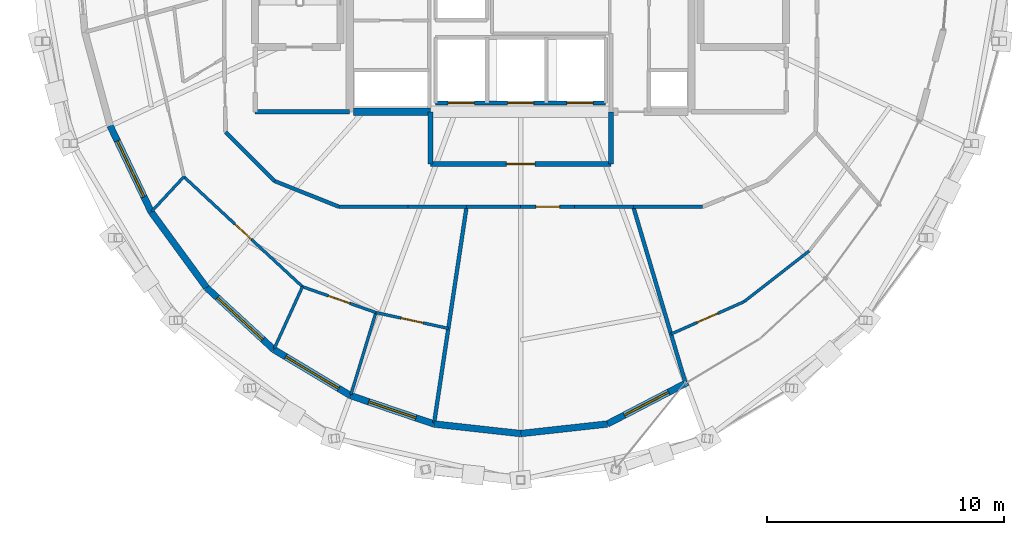
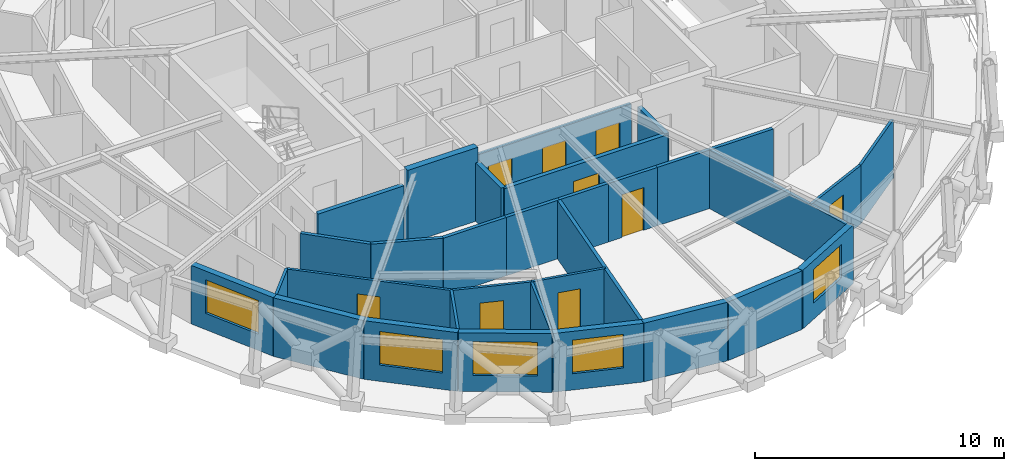
# One storey, part 10 of 16: 32 walls, 9 doors, 5 windows, 14 openings.
"""IFC4 building model written with IfcOpenShell, lengths in metres."""

from ifc_helpers import new_model, si_unit, direction, frame, frame_2d, origin, place, context, subcontext, project, spatial, rectangle, extrude, material, layer, layer_set, type_object, element, fill, save


model = new_model("IFC4")

# Units and contexts
model_context = context("Model", 3, precision=1e-05, world=origin(), true_north=direction((0.0, 1.0)))
body_context = subcontext(model_context, "Body", "Model", "MODEL_VIEW")
ifc_project = project(units=[si_unit("LENGTHUNIT", "METRE"), si_unit("AREAUNIT", "SQUARE_METRE"), si_unit("VOLUMEUNIT", "CUBIC_METRE"), si_unit("PLANEANGLEUNIT", "RADIAN"), si_unit("MASSUNIT", "GRAM", prefix="KILO")], contexts=[model_context])

# Site, building, storey
site_placement = place(None, origin())
site = spatial("IfcSite", under=ifc_project, at=site_placement, CompositionType="ELEMENT")
building_placement = place(site_placement, origin())
building = spatial("IfcBuilding", under=site, at=building_placement, Name="Veldorina Hangang Commons", CompositionType="ELEMENT")
storey_placement = place(building_placement, frame((0.0, 0.0, 279.60009765625)))
storey = spatial("IfcBuildingStorey", under=building, at=storey_placement, Name="L73", CompositionType="ELEMENT", Elevation=279.60009765625)

# Wall
ifc_material_1 = material(Name="Concrete C50/60", Category="concrete")
ifc_layer_1 = layer(ifc_material_1, 0.300048828125)
ifc_layer_set_1 = layer_set([ifc_layer_1], Name="Concrete C50/60")
wall_type_1 = type_object("IfcWallType", Name="CW-RC300-C50", PredefinedType="SHEAR", material=ifc_layer_set_1)
wall_1_placement = place(storey_placement, frame((24.949951171875, 16.550048828125, 0.0), z_axis=(0.0, 0.0, 1.0), x_axis=(1.0, 0.0, 0.0)))
element("IfcWall", 1, at=wall_1_placement, inside=storey, type_object=wall_type_1, Name="L73 south-west core shear wall", PredefinedType="SHEAR", context=body_context, shape_type="SweptSolid", body=[
    extrude(rectangle(XDim=3.25, YDim=0.300048828125, at=frame_2d((1.625, 0.0))), origin(), (0.0, 0.0, 1.0), 3.599853515625),
])

# Wall, opening, window
ifc_material_2 = material(Name="Stone Roman Travertine", Category="masonry")
ifc_layer_2 = layer(ifc_material_2, 0.280029296875)
ifc_layer_set_2 = layer_set([ifc_layer_2], Name="Stone Roman Travertine")
wall_type_2 = type_object("IfcWallType", Name="EW-TRAV-280", PredefinedType="STANDARD", material=ifc_layer_set_2)
wall_2_placement = place(storey_placement, frame((14.711669921875, 15.96337890625, 0.0), z_axis=(0.0, 0.0, 1.0), x_axis=(0.430011346388, -0.902823483289, 0.0)))
wall_2 = element("IfcWall", 2, at=wall_2_placement, inside=storey, type_object=wall_type_2, Name="L73 travertine facade wall 18", PredefinedType="STANDARD", context=body_context, shape_type="SweptSolid", body=[
    extrude(rectangle(XDim=4.021484375, YDim=0.280029296875, at=frame_2d((2.0107421875, 0.0))), origin(), (0.0, 0.0, 1.0), 2.8798828125),
])
opening_1_placement = place(wall_2_placement, frame((0.710693359375, 0.0, 0.800048828125)))
opening_1 = element("IfcOpeningElement", 3, at=opening_1_placement, cuts=wall_2, Name="Opening W-02", PredefinedType="OPENING", context=body_context, shape_type="SweptSolid", body=[
    extrude(rectangle(XDim=2.60009765625, YDim=1.64990234375, at=frame_2d((1.300048828125, 0.824951171875))), frame((0.0, 0.14990234375, 0.0), z_axis=(0.0, -1.0, 0.0), x_axis=(1.0, 0.0, 0.0)), (0.0, 0.0, 1.0), 0.300048828125),
])
ifc_material_3 = material(Name="Glass Low-E Triple IGU", Category="glass")
window_type_1 = type_object("IfcWindowType", Name="WIN-TWR-2600", PartitioningType="SINGLE_PANEL", PredefinedType="WINDOW", material=ifc_material_3)
window_1_placement = place(opening_1_placement, origin())
window_1 = element("IfcWindow", 4, at=window_1_placement, inside=storey, type_object=window_type_1, Name="L73 facade window 18", OverallHeight=1.64990234375, OverallWidth=2.60009765625, PartitioningType="SINGLE_PANEL", PredefinedType="WINDOW", context=body_context, shape_type="SweptSolid", body=[
    extrude(rectangle(XDim=2.60009765625, YDim=1.64990234375, at=frame_2d((1.300048828125, 0.824951171875))), frame((0.0, 0.030029296875, 0.0), z_axis=(0.0, -1.0, 0.0), x_axis=(1.0, 0.0, 0.0)), (0.0, 0.0, 1.0), 0.06005859375),
])
fill(opening_1, window_1)

# Wall
wall_3_placement = place(storey_placement, frame((16.44091796875, 12.332763671875, 0.0), z_axis=(0.0, 0.0, 1.0), x_axis=(0.590275846693, -0.807201601095, 0.0)))
element("IfcWall", 5, at=wall_3_placement, inside=storey, type_object=wall_type_2, Name="L73 travertine facade wall 19", PredefinedType="STANDARD", context=body_context, shape_type="SweptSolid", body=[
    extrude(rectangle(XDim=3.9423828125, YDim=0.280029296875, at=frame_2d((1.97119140625, 0.0))), origin(), (0.0, 0.0, 1.0), 2.8798828125),
])

# Wall, opening, window
wall_4_placement = place(storey_placement, frame((18.76806640625, 9.150390625, 0.0), z_axis=(0.0, 0.0, 1.0), x_axis=(0.735545935602, -0.677474853127, 0.0)))
wall_4 = element("IfcWall", 6, at=wall_4_placement, inside=storey, type_object=wall_type_2, Name="L73 travertine facade wall 20", PredefinedType="STANDARD", context=body_context, shape_type="SweptSolid", body=[
    extrude(rectangle(XDim=3.855224609375, YDim=0.280029296875, at=frame_2d((1.927734375, 0.0))), origin(), (0.0, 0.0, 1.0), 2.8798828125),
])
opening_2_placement = place(wall_4_placement, frame((0.627685546875, 0.0, 0.800048828125)))
opening_2 = element("IfcOpeningElement", 7, at=opening_2_placement, cuts=wall_4, Name="Opening W-02", PredefinedType="OPENING", context=body_context, shape_type="SweptSolid", body=[
    extrude(rectangle(XDim=2.60009765625, YDim=1.64990234375, at=frame_2d((1.300048828125, 0.824951171875))), frame((0.0, 0.14990234375, 0.0), z_axis=(0.0, -1.0, 0.0), x_axis=(1.0, 0.0, 0.0)), (0.0, 0.0, 1.0), 0.300048828125),
])
window_2_placement = place(opening_2_placement, origin())
window_2 = element("IfcWindow", 8, at=window_2_placement, inside=storey, type_object=window_type_1, Name="L73 facade window 20", OverallHeight=1.64990234375, OverallWidth=2.60009765625, PartitioningType="SINGLE_PANEL", PredefinedType="WINDOW", context=body_context, shape_type="SweptSolid", body=[
    extrude(rectangle(XDim=2.60009765625, YDim=1.64990234375, at=frame_2d((1.300048828125, 0.824951171875))), frame((0.0, 0.030029296875, 0.0), z_axis=(0.0, -1.0, 0.0), x_axis=(1.0, 0.0, 0.0)), (0.0, 0.0, 1.0), 0.06005859375),
])
fill(opening_2, window_2)

wall_5_placement = place(storey_placement, frame((21.603759765625, 6.53857421875, 0.0), z_axis=(0.0, 0.0, 1.0), x_axis=(0.857555727465, -0.514391071357, 0.0)))
wall_5 = element("IfcWall", 9, at=wall_5_placement, inside=storey, type_object=wall_type_2, Name="L73 travertine facade wall 21", PredefinedType="STANDARD", context=body_context, shape_type="SweptSolid", body=[
    extrude(rectangle(XDim=3.772705078125, YDim=0.280029296875, at=frame_2d((1.88623046875, 0.0))), origin(), (0.0, 0.0, 1.0), 2.8798828125),
])
opening_3_placement = place(wall_5_placement, frame((0.586181640625, 0.0, 0.800048828125)))
opening_3 = element("IfcOpeningElement", 10, at=opening_3_placement, cuts=wall_5, Name="Opening W-02", PredefinedType="OPENING", context=body_context, shape_type="SweptSolid", body=[
    extrude(rectangle(XDim=2.60009765625, YDim=1.64990234375, at=frame_2d((1.300048828125, 0.824951171875))), frame((0.0, 0.14990234375, 0.0), z_axis=(0.0, -1.0, 0.0), x_axis=(1.0, 0.0, 0.0)), (0.0, 0.0, 1.0), 0.300048828125),
])
window_3_placement = place(opening_3_placement, origin())
window_3 = element("IfcWindow", 11, at=window_3_placement, inside=storey, type_object=window_type_1, Name="L73 facade window 21", OverallHeight=1.64990234375, OverallWidth=2.60009765625, PartitioningType="SINGLE_PANEL", PredefinedType="WINDOW", context=body_context, shape_type="SweptSolid", body=[
    extrude(rectangle(XDim=2.60009765625, YDim=1.64990234375, at=frame_2d((1.300048828125, 0.824951171875))), frame((0.0, 0.030029296875, 0.0), z_axis=(0.0, -1.0, 0.0), x_axis=(1.0, 0.0, 0.0)), (0.0, 0.0, 1.0), 0.06005859375),
])
fill(opening_3, window_3)

wall_6_placement = place(storey_placement, frame((24.839111328125, 4.597900390625, 0.0), z_axis=(0.0, 0.0, 1.0), x_axis=(0.946642640744, -0.322285138854, 0.0)))
wall_6 = element("IfcWall", 12, at=wall_6_placement, inside=storey, type_object=wall_type_2, Name="L73 travertine facade wall 22", PredefinedType="STANDARD", context=body_context, shape_type="SweptSolid", body=[
    extrude(rectangle(XDim=3.7080078125, YDim=0.280029296875, at=frame_2d((1.85400390625, 0.0))), origin(), (0.0, 0.0, 1.0), 2.8798828125),
])
opening_4_placement = place(wall_6_placement, frame((0.80419921875, 0.0, 0.800048828125)))
opening_4 = element("IfcOpeningElement", 13, at=opening_4_placement, cuts=wall_6, Name="Opening W-03", PredefinedType="OPENING", context=body_context, shape_type="SweptSolid", body=[
    extrude(rectangle(XDim=2.10009765625, YDim=1.64990234375, at=frame_2d((1.050048828125, 0.824951171875))), frame((0.0, 0.14990234375, 0.0), z_axis=(0.0, -1.0, 0.0), x_axis=(1.0, 0.0, 0.0)), (0.0, 0.0, 1.0), 0.300048828125),
])
window_type_2 = type_object("IfcWindowType", Name="WIN-TWR-2100", PartitioningType="SINGLE_PANEL", PredefinedType="WINDOW", material=ifc_material_3)
window_4_placement = place(opening_4_placement, origin())
window_4 = element("IfcWindow", 14, at=window_4_placement, inside=storey, type_object=window_type_2, Name="L73 facade window 22", OverallHeight=1.64990234375, OverallWidth=2.10009765625, PartitioningType="SINGLE_PANEL", PredefinedType="WINDOW", context=body_context, shape_type="SweptSolid", body=[
    extrude(rectangle(XDim=2.10009765625, YDim=1.64990234375, at=frame_2d((1.050048828125, 0.824951171875))), frame((0.0, 0.030029296875, 0.0), z_axis=(0.0, -1.0, 0.0), x_axis=(1.0, 0.0, 0.0)), (0.0, 0.0, 1.0), 0.06005859375),
])
fill(opening_4, window_4)

# Walls
for number, where, z_axis, x_axis, name in (
    (15, (28.349365234375, 3.40283203125, 0.0), (0.0, 0.0, 1.0), (0.993952444877, -0.10981137156, 0.0), "L73 travertine facade wall 23"),
    (16, (32.0, 2.99951171875, 0.0), (0.0, 0.0, 1.0), (0.993952444877, 0.10981137156, 0.0), "L73 travertine facade wall 24"),
):
    element("IfcWall", number, at=place(storey_placement, frame(where, z_axis=z_axis, x_axis=x_axis)), inside=storey, type_object=wall_type_2, Name=name, PredefinedType="STANDARD", context=body_context, shape_type="SweptSolid", body=[
        extrude(rectangle(XDim=3.6728515625, YDim=0.280029296875, at=frame_2d((1.83642578125, 0.0))), origin(), (0.0, 0.0, 1.0), 2.8798828125),
    ])

# Wall, opening, window
wall_7_placement = place(storey_placement, frame((35.650634765625, 3.40283203125, 0.0), z_axis=(0.0, 0.0, 1.0), x_axis=(0.88737951992, 0.461039681184, 0.0)))
wall_7 = element("IfcWall", 17, at=wall_7_placement, inside=storey, type_object=wall_type_2, Name="L73 travertine facade wall 25", PredefinedType="STANDARD", context=body_context, shape_type="SweptSolid", body=[
    extrude(rectangle(XDim=3.806396484375, YDim=0.280029296875, at=frame_2d((1.9033203125, 0.0))), origin(), (0.0, 0.0, 1.0), 2.8798828125),
])
opening_5_placement = place(wall_7_placement, frame((0.80712890625, 0.0, 0.800048828125)))
opening_5 = element("IfcOpeningElement", 18, at=opening_5_placement, cuts=wall_7, Name="Opening W-03", PredefinedType="OPENING", context=body_context, shape_type="SweptSolid", body=[
    extrude(rectangle(XDim=2.10009765625, YDim=1.64990234375, at=frame_2d((1.050048828125, 0.824951171875))), frame((0.0, 0.14990234375, 0.0), z_axis=(0.0, -1.0, 0.0), x_axis=(1.0, 0.0, 0.0)), (0.0, 0.0, 1.0), 0.300048828125),
])
window_5_placement = place(opening_5_placement, origin())
window_5 = element("IfcWindow", 19, at=window_5_placement, inside=storey, type_object=window_type_2, Name="L73 facade window 25", OverallHeight=1.64990234375, OverallWidth=2.10009765625, PartitioningType="SINGLE_PANEL", PredefinedType="WINDOW", context=body_context, shape_type="SweptSolid", body=[
    extrude(rectangle(XDim=2.10009765625, YDim=1.64990234375, at=frame_2d((1.050048828125, 0.824951171875))), frame((0.0, 0.030029296875, 0.0), z_axis=(0.0, -1.0, 0.0), x_axis=(1.0, 0.0, 0.0)), (0.0, 0.0, 1.0), 0.06005859375),
])
fill(opening_5, window_5)

# Wall, openings, doors
ifc_material_4 = material(Name="Gypsum Fire-Rated Twin Stud Wall", Category="gypsum")
ifc_layer_3 = layer(ifc_material_4, 0.159912109375)
ifc_layer_set_3 = layer_set([ifc_layer_3], Name="Gypsum Fire-Rated Twin Stud Wall")
wall_type_3 = type_object("IfcWallType", Name="WL-FIRE-160", PredefinedType="SOLIDWALL", material=ifc_layer_set_3)
wall_8_placement = place(storey_placement, frame((28.419921875, 16.919921875, 0.0), z_axis=(0.0, 0.0, 1.0), x_axis=(1.0, 0.0, 0.0)))
wall_8 = element("IfcWall", 20, at=wall_8_placement, inside=storey, type_object=wall_type_3, Name="L73 Emergency front shaft wall 023", PredefinedType="SOLIDWALL", context=body_context, shape_type="SweptSolid", body=[
    extrude(rectangle(XDim=7.16015625, YDim=0.159912109375, at=frame_2d((3.580078125, 0.0))), origin(), (0.0, 0.0, 1.0), 2.869873046875),
])
opening_6_placement = place(wall_8_placement, frame((0.530029296875, 0.0, 0.0)))
opening_6 = element("IfcOpeningElement", 21, at=opening_6_placement, cuts=wall_8, Name="Opening LD-03", PredefinedType="OPENING", context=body_context, shape_type="SweptSolid", body=[
    extrude(rectangle(XDim=1.10009765625, YDim=2.14990234375, at=frame_2d((0.550048828125, 1.074951171875))), frame((0.0, 0.08984375, 0.0), z_axis=(0.0, -1.0, 0.0), x_axis=(1.0, 0.0, 0.0)), (0.0, 0.0, 1.0), 0.179931640625),
])
opening_7_placement = place(wall_8_placement, frame((3.030029296875, 0.0, 0.0)))
opening_7 = element("IfcOpeningElement", 22, at=opening_7_placement, cuts=wall_8, Name="Opening LD-03", PredefinedType="OPENING", context=body_context, shape_type="SweptSolid", body=[
    extrude(rectangle(XDim=1.10009765625, YDim=2.14990234375, at=frame_2d((0.550048828125, 1.074951171875))), frame((0.0, 0.08984375, 0.0), z_axis=(0.0, -1.0, 0.0), x_axis=(1.0, 0.0, 0.0)), (0.0, 0.0, 1.0), 0.179931640625),
])
opening_8_placement = place(wall_8_placement, frame((5.530029296875, 0.0, 0.0)))
opening_8 = element("IfcOpeningElement", 23, at=opening_8_placement, cuts=wall_8, Name="Opening LD-03", PredefinedType="OPENING", context=body_context, shape_type="SweptSolid", body=[
    extrude(rectangle(XDim=1.10009765625, YDim=2.14990234375, at=frame_2d((0.550048828125, 1.074951171875))), frame((0.0, 0.08984375, 0.0), z_axis=(0.0, -1.0, 0.0), x_axis=(1.0, 0.0, 0.0)), (0.0, 0.0, 1.0), 0.179931640625),
])
ifc_material_5 = material(Name="Stainless Steel Firefighting Lift Door", Category="steel")
door_type_1 = type_object("IfcDoorType", Name="DR-LIFT-FF1100", OperationType="SLIDING_TO_RIGHT", PredefinedType="DOOR", material=ifc_material_5)
door_1_placement = place(opening_6_placement, origin())
door_1 = element("IfcDoor", 24, at=door_1_placement, inside=storey, type_object=door_type_1, Name="L73 Emergency lift FFL-1 landing door 008", OperationType="SLIDING_TO_RIGHT", OverallHeight=2.14990234375, OverallWidth=1.10009765625, PredefinedType="DOOR", context=body_context, shape_type="SweptSolid", body=[
    extrude(rectangle(XDim=1.10009765625, YDim=2.14990234375, at=frame_2d((0.550048828125, 1.074951171875))), frame((0.0, 0.02490234375, 0.0), z_axis=(0.0, -1.0, 0.0), x_axis=(1.0, 0.0, 0.0)), (0.0, 0.0, 1.0), 0.050048828125),
])
fill(opening_6, door_1)
door_2_placement = place(opening_7_placement, origin())
door_2 = element("IfcDoor", 25, at=door_2_placement, inside=storey, type_object=door_type_1, Name="L73 Emergency lift FFL-2 landing door 009", OperationType="SLIDING_TO_RIGHT", OverallHeight=2.14990234375, OverallWidth=1.10009765625, PredefinedType="DOOR", context=body_context, shape_type="SweptSolid", body=[
    extrude(rectangle(XDim=1.10009765625, YDim=2.14990234375, at=frame_2d((0.550048828125, 1.074951171875))), frame((0.0, 0.02490234375, 0.0), z_axis=(0.0, -1.0, 0.0), x_axis=(1.0, 0.0, 0.0)), (0.0, 0.0, 1.0), 0.050048828125),
])
fill(opening_7, door_2)
door_3_placement = place(opening_8_placement, origin())
door_3 = element("IfcDoor", 26, at=door_3_placement, inside=storey, type_object=door_type_1, Name="L73 Emergency lift EVL-1 landing door 010", OperationType="SLIDING_TO_RIGHT", OverallHeight=2.14990234375, OverallWidth=1.10009765625, PredefinedType="DOOR", context=body_context, shape_type="SweptSolid", body=[
    extrude(rectangle(XDim=1.10009765625, YDim=2.14990234375, at=frame_2d((0.550048828125, 1.074951171875))), frame((0.0, 0.02490234375, 0.0), z_axis=(0.0, -1.0, 0.0), x_axis=(1.0, 0.0, 0.0)), (0.0, 0.0, 1.0), 0.050048828125),
])
fill(opening_8, door_3)

# Walls
wall_9_placement = place(storey_placement, frame((19.5732421875, 15.69677734375, 0.0), z_axis=(0.0, 0.0, 1.0), x_axis=(0.707106781187, -0.707106781187, 0.0)))
element("IfcWall", 27, at=wall_9_placement, inside=storey, type_object=wall_type_3, Name="L73 Compact collar outer wall 19 073", PredefinedType="SOLIDWALL", context=body_context, shape_type="SweptSolid", body=[
    extrude(rectangle(XDim=2.915771484375, YDim=0.159912109375, at=frame_2d((1.4580078125, 0.0))), origin(), (0.0, 0.0, 1.0), 2.869873046875),
])
wall_10_placement = place(storey_placement, frame((21.635009765625, 13.635009765625, 0.0), z_axis=(0.0, 0.0, 1.0), x_axis=(0.92856882165, -0.371160266542, 0.0)))
element("IfcWall", 28, at=wall_10_placement, inside=storey, type_object=wall_type_3, Name="L73 Compact collar outer wall 20 074", PredefinedType="SOLIDWALL", context=body_context, shape_type="SweptSolid", body=[
    extrude(rectangle(XDim=2.923095703125, YDim=0.159912109375, at=frame_2d((1.46142578125, 0.0))), origin(), (0.0, 0.0, 1.0), 2.869873046875),
])
wall_11_placement = place(storey_placement, frame((24.349365234375, 12.550048828125, 0.0), z_axis=(0.0, 0.0, 1.0), x_axis=(1.0, 0.0, 0.0)))
element("IfcWall", 29, at=wall_11_placement, inside=storey, type_object=wall_type_3, Name="L73 Compact collar outer wall 21 075", PredefinedType="SOLIDWALL", context=body_context, shape_type="SweptSolid", body=[
    extrude(rectangle(XDim=2.907958984375, YDim=0.159912109375, at=frame_2d((1.4541015625, 0.0))), origin(), (0.0, 0.0, 1.0), 2.869873046875),
])
wall_12_placement = place(storey_placement, frame((27.25732421875, 12.550048828125, 0.0), z_axis=(0.0, 0.0, 1.0), x_axis=(1.0, 0.0, 0.0)))
element("IfcWall", 30, at=wall_12_placement, inside=storey, type_object=wall_type_3, Name="L73 Compact collar outer wall 22 076", PredefinedType="SOLIDWALL", context=body_context, shape_type="SweptSolid", body=[
    extrude(rectangle(XDim=2.465087890625, YDim=0.159912109375, at=frame_2d((1.232421875, 0.0))), origin(), (0.0, 0.0, 1.0), 2.869873046875),
])
wall_13_placement = place(storey_placement, frame((29.722412109375, 12.550048828125, 0.0), z_axis=(0.0, 0.0, 1.0), x_axis=(1.0, 0.0, 0.0)))
element("IfcWall", 31, at=wall_13_placement, inside=storey, type_object=wall_type_3, Name="L73 Compact collar outer wall 23 077", PredefinedType="SOLIDWALL", context=body_context, shape_type="SweptSolid", body=[
    extrude(rectangle(XDim=2.277587890625, YDim=0.159912109375, at=frame_2d((1.138671875, 0.0))), origin(), (0.0, 0.0, 1.0), 2.869873046875),
])

# Wall, opening, door
wall_14_placement = place(storey_placement, frame((32.0, 12.550048828125, 0.0), z_axis=(0.0, 0.0, 1.0), x_axis=(1.0, 0.0, 0.0)))
wall_14 = element("IfcWall", 32, at=wall_14_placement, inside=storey, type_object=wall_type_3, Name="L73 Compact collar outer wall 24 078", PredefinedType="SOLIDWALL", context=body_context, shape_type="SweptSolid", body=[
    extrude(rectangle(XDim=2.277587890625, YDim=0.159912109375, at=frame_2d((1.138671875, 0.0))), origin(), (0.0, 0.0, 1.0), 2.869873046875),
])
opening_9_placement = place(wall_14_placement, frame((0.638671875, 0.0, 0.0)))
opening_9 = element("IfcOpeningElement", 33, at=opening_9_placement, cuts=wall_14, Name="Opening D-05", PredefinedType="OPENING", context=body_context, shape_type="SweptSolid", body=[
    extrude(rectangle(XDim=1.0, YDim=2.10009765625, at=frame_2d((0.5, 1.050048828125))), frame((0.0, 0.08984375, 0.0), z_axis=(0.0, -1.0, 0.0), x_axis=(1.0, 0.0, 0.0)), (0.0, 0.0, 1.0), 0.179931640625),
])
ifc_material_6 = material(Name="Timber Solid Core Acoustic", Category="wood")
door_type_2 = type_object("IfcDoorType", Name="DR-INT-1000", OperationType="SINGLE_SWING_RIGHT", PredefinedType="DOOR", material=ifc_material_6)
door_4_placement = place(opening_9_placement, origin())
door_4 = element("IfcDoor", 34, at=door_4_placement, inside=storey, type_object=door_type_2, Name="L73 Floor Study Room 7 door 045", OperationType="SINGLE_SWING_LEFT", OverallHeight=2.10009765625, OverallWidth=1.0, PredefinedType="DOOR", context=body_context, shape_type="SweptSolid", body=[
    extrude(rectangle(XDim=1.0, YDim=2.10009765625, at=frame_2d((0.5, 1.050048828125))), frame((0.0, 0.02490234375, 0.0), z_axis=(0.0, -1.0, 0.0), x_axis=(1.0, 0.0, 0.0)), (0.0, 0.0, 1.0), 0.050048828125),
])
fill(opening_9, door_4)

# Walls
wall_15_placement = place(storey_placement, frame((34.277587890625, 12.550048828125, 0.0), z_axis=(0.0, 0.0, 1.0), x_axis=(1.0, 0.0, 0.0)))
element("IfcWall", 35, at=wall_15_placement, inside=storey, type_object=wall_type_3, Name="L73 Compact collar outer wall 25 079", PredefinedType="SOLIDWALL", context=body_context, shape_type="SweptSolid", body=[
    extrude(rectangle(XDim=2.465087890625, YDim=0.159912109375, at=frame_2d((1.232421875, 0.0))), origin(), (0.0, 0.0, 1.0), 2.869873046875),
])
wall_16_placement = place(storey_placement, frame((36.74267578125, 12.550048828125, 0.0), z_axis=(0.0, 0.0, 1.0), x_axis=(1.0, 0.0, 0.0)))
element("IfcWall", 36, at=wall_16_placement, inside=storey, type_object=wall_type_3, Name="L73 Compact collar outer wall 26 080", PredefinedType="SOLIDWALL", context=body_context, shape_type="SweptSolid", body=[
    extrude(rectangle(XDim=2.907958984375, YDim=0.159912109375, at=frame_2d((1.4541015625, 0.0))), origin(), (0.0, 0.0, 1.0), 2.869873046875),
])
wall_17_placement = place(storey_placement, frame((29.722412109375, 12.550048828125, 0.0), z_axis=(0.0, 0.0, 1.0), x_axis=(-0.148454650521, -0.988919216488, 0.0)))
element("IfcWall", 37, at=wall_17_placement, inside=storey, type_object=wall_type_3, Name="L73 Unit party wall 23 123", PredefinedType="SOLIDWALL", context=body_context, shape_type="SweptSolid", body=[
    extrude(rectangle(XDim=9.19970703125, YDim=0.159912109375, at=frame_2d((4.599853515625, 0.0))), origin(), (0.0, 0.0, 1.0), 2.869873046875),
])
wall_18_placement = place(storey_placement, frame((36.74267578125, 12.550048828125, 0.0), z_axis=(0.0, 0.0, 1.0), x_axis=(0.28423289616, -0.958755266343, 0.0)))
element("IfcWall", 38, at=wall_18_placement, inside=storey, type_object=wall_type_3, Name="L73 Unit party wall 26 124", PredefinedType="SOLIDWALL", context=body_context, shape_type="SweptSolid", body=[
    extrude(rectangle(XDim=7.704833984375, YDim=0.159912109375, at=frame_2d((3.8525390625, 0.0))), origin(), (0.0, 0.0, 1.0), 2.869873046875),
])
ifc_material_7 = material(Name="Concrete Blockwork Fire Wall C30/37", Category="masonry")
ifc_layer_4 = layer(ifc_material_7, 0.199951171875)
ifc_layer_set_4 = layer_set([ifc_layer_4], Name="Concrete Blockwork Fire Wall C30/37")
wall_type_4 = type_object("IfcWallType", Name="WL-FIRE-200", PredefinedType="SOLIDWALL", material=ifc_layer_set_4)
wall_19_placement = place(storey_placement, frame((20.820068359375, 16.550048828125, 0.0), z_axis=(0.0, 0.0, 1.0), x_axis=(1.0, 0.0, 0.0)))
element("IfcWall", 39, at=wall_19_placement, inside=storey, type_object=wall_type_4, Name="L73 West vestibule south wall 002", PredefinedType="SOLIDWALL", context=body_context, shape_type="SweptSolid", body=[
    extrude(rectangle(XDim=3.97998046875, YDim=0.199951171875, at=frame_2d((1.989990234375, 0.0))), origin(), (0.0, 0.0, 1.0), 2.869873046875),
])
for number, where, z_axis, x_axis, name in (
    (40, (28.199951171875, 14.35009765625, 0.0), (0.0, 0.0, 1.0), (0.0, 1.0, 0.0), "L73 FF lobby west wall 012"),
    (41, (35.800048828125, 14.35009765625, 0.0), (0.0, 0.0, 1.0), (0.0, 1.0, 0.0), "L73 FF lobby east wall 013"),
):
    element("IfcWall", number, at=place(storey_placement, frame(where, z_axis=z_axis, x_axis=x_axis)), inside=storey, type_object=wall_type_4, Name=name, PredefinedType="SOLIDWALL", context=body_context, shape_type="SweptSolid", body=[
        extrude(rectangle(XDim=2.199951171875, YDim=0.199951171875, at=frame_2d((1.10009765625, 0.0))), origin(), (0.0, 0.0, 1.0), 2.869873046875),
    ])

# Wall, opening, door
wall_20_placement = place(storey_placement, frame((28.199951171875, 14.35009765625, 0.0), z_axis=(0.0, 0.0, 1.0), x_axis=(1.0, 0.0, 0.0)))
wall_20 = element("IfcWall", 42, at=wall_20_placement, inside=storey, type_object=wall_type_4, Name="L73 FF lobby south wall 014", PredefinedType="SOLIDWALL", context=body_context, shape_type="SweptSolid", body=[
    extrude(rectangle(XDim=7.60009765625, YDim=0.199951171875, at=frame_2d((3.800048828125, 0.0))), origin(), (0.0, 0.0, 1.0), 2.869873046875),
])
opening_10_placement = place(wall_20_placement, frame((3.199951171875, 0.0, 0.0)))
opening_10 = element("IfcOpeningElement", 43, at=opening_10_placement, cuts=wall_20, Name="Opening D-09", PredefinedType="OPENING", context=body_context, shape_type="SweptSolid", body=[
    extrude(rectangle(XDim=1.199951171875, YDim=2.10009765625, at=frame_2d((0.60009765625, 1.050048828125))), frame((0.0, 0.10986328125, 0.0), z_axis=(0.0, -1.0, 0.0), x_axis=(1.0, 0.0, 0.0)), (0.0, 0.0, 1.0), 0.219970703125),
])
ifc_material_8 = material(Name="Steel Fire-Rated Corridor Door", Category="steel")
door_type_3 = type_object("IfcDoorType", Name="DR-FIRE-1200", OperationType="SINGLE_SWING_LEFT", PredefinedType="DOOR", material=ifc_material_8)
door_5_placement = place(opening_10_placement, origin())
door_5 = element("IfcDoor", 44, at=door_5_placement, inside=storey, type_object=door_type_3, Name="L73 FF lobby south corridor door 005", OperationType="SINGLE_SWING_LEFT", OverallHeight=2.10009765625, OverallWidth=1.199951171875, PredefinedType="DOOR", context=body_context, shape_type="SweptSolid", body=[
    extrude(rectangle(XDim=1.199951171875, YDim=2.10009765625, at=frame_2d((0.60009765625, 1.050048828125))), frame((0.0, 0.02490234375, 0.0), z_axis=(0.0, -1.0, 0.0), x_axis=(1.0, 0.0, 0.0)), (0.0, 0.0, 1.0), 0.050048828125),
])
fill(opening_10, door_5)

ifc_material_9 = material(Name="Gypsum Acoustic Stud Partition", Category="gypsum")
ifc_layer_5 = layer(ifc_material_9, 0.1201171875)
ifc_layer_set_5 = layer_set([ifc_layer_5], Name="Gypsum Acoustic Stud Partition")
wall_type_5 = type_object("IfcWallType", Name="WL-PART-120", PredefinedType="PARTITIONING", material=ifc_layer_set_5)
wall_21_placement = place(storey_placement, frame((17.819091796875, 13.81298828125, 0.0), z_axis=(0.0, 0.0, 1.0), x_axis=(0.733297734746, -0.679907664479, 0.0)))
wall_21 = element("IfcWall", 45, at=wall_21_placement, inside=storey, type_object=wall_type_5, Name="L73 Cluster 6 bed 2 front wall 117", PredefinedType="PARTITIONING", context=body_context, shape_type="SweptSolid", body=[
    extrude(rectangle(XDim=6.808837890625, YDim=0.1201171875, at=frame_2d((3.404296875, 0.0))), origin(), (0.0, 0.0, 1.0), 2.869873046875),
])
opening_11_placement = place(wall_21_placement, frame((2.92919921875, 0.0, 0.0)))
opening_11 = element("IfcOpeningElement", 46, at=opening_11_placement, cuts=wall_21, Name="Opening D-02", PredefinedType="OPENING", context=body_context, shape_type="SweptSolid", body=[
    extrude(rectangle(XDim=0.949951171875, YDim=2.10009765625, at=frame_2d((0.47509765625, 1.050048828125))), frame((0.0, 0.070068359375, 0.0), z_axis=(0.0, -1.0, 0.0), x_axis=(1.0, 0.0, 0.0)), (0.0, 0.0, 1.0), 0.14013671875),
])
door_type_4 = type_object("IfcDoorType", Name="DR-INT-950", OperationType="SINGLE_SWING_LEFT", PredefinedType="DOOR", material=ifc_material_6)
door_6_placement = place(opening_11_placement, origin())
door_6 = element("IfcDoor", 47, at=door_6_placement, inside=storey, type_object=door_type_4, Name="L73 Cluster 6 bed 2 door 042", OperationType="SINGLE_SWING_RIGHT", OverallHeight=2.10009765625, OverallWidth=0.949951171875, PredefinedType="DOOR", context=body_context, shape_type="SweptSolid", body=[
    extrude(rectangle(XDim=0.949951171875, YDim=2.10009765625, at=frame_2d((0.47509765625, 1.050048828125))), frame((0.0, 0.02490234375, 0.0), z_axis=(0.0, -1.0, 0.0), x_axis=(1.0, 0.0, 0.0)), (0.0, 0.0, 1.0), 0.050048828125),
])
fill(opening_11, door_6)

# Wall
wall_22_placement = place(storey_placement, frame((17.819091796875, 13.81298828125, 0.0), z_axis=(0.0, 0.0, 1.0), x_axis=(-0.681404809589, -0.73190674643, 0.0)))
element("IfcWall", 48, at=wall_22_placement, inside=storey, type_object=wall_type_5, Name="L73 Cluster 6 bed divider 1 118", PredefinedType="PARTITIONING", context=body_context, shape_type="SweptSolid", body=[
    extrude(rectangle(XDim=1.972412109375, YDim=0.1201171875, at=frame_2d((0.986328125, 0.0))), origin(), (0.0, 0.0, 1.0), 2.869873046875),
])

# Wall, opening, door
wall_23_placement = place(storey_placement, frame((22.81201171875, 9.18359375, 0.0), z_axis=(0.0, 0.0, 1.0), x_axis=(0.94340092168, -0.331654490356, 0.0)))
wall_23 = element("IfcWall", 49, at=wall_23_placement, inside=storey, type_object=wall_type_5, Name="L73 Cluster 6 bed 3 front wall 119", PredefinedType="PARTITIONING", context=body_context, shape_type="SweptSolid", body=[
    extrude(rectangle(XDim=3.276611328125, YDim=0.1201171875, at=frame_2d((1.63818359375, 0.0))), origin(), (0.0, 0.0, 1.0), 2.869873046875),
])
opening_12_placement = place(wall_23_placement, frame((1.163330078125, 0.0, 0.0)))
opening_12 = element("IfcOpeningElement", 50, at=opening_12_placement, cuts=wall_23, Name="Opening D-02", PredefinedType="OPENING", context=body_context, shape_type="SweptSolid", body=[
    extrude(rectangle(XDim=0.949951171875, YDim=2.10009765625, at=frame_2d((0.47509765625, 1.050048828125))), frame((0.0, 0.070068359375, 0.0), z_axis=(0.0, -1.0, 0.0), x_axis=(1.0, 0.0, 0.0)), (0.0, 0.0, 1.0), 0.14013671875),
])
door_7_placement = place(opening_12_placement, origin())
door_7 = element("IfcDoor", 51, at=door_7_placement, inside=storey, type_object=door_type_4, Name="L73 Cluster 6 bed 3 door 043", OperationType="SINGLE_SWING_LEFT", OverallHeight=2.10009765625, OverallWidth=0.949951171875, PredefinedType="DOOR", context=body_context, shape_type="SweptSolid", body=[
    extrude(rectangle(XDim=0.949951171875, YDim=2.10009765625, at=frame_2d((0.47509765625, 1.050048828125))), frame((0.0, 0.02490234375, 0.0), z_axis=(0.0, -1.0, 0.0), x_axis=(1.0, 0.0, 0.0)), (0.0, 0.0, 1.0), 0.050048828125),
])
fill(opening_12, door_7)

# Wall
wall_24_placement = place(storey_placement, frame((22.81201171875, 9.18359375, 0.0), z_axis=(0.0, 0.0, 1.0), x_axis=(-0.415501337949, -0.909592567122, 0.0)))
element("IfcWall", 52, at=wall_24_placement, inside=storey, type_object=wall_type_5, Name="L73 Cluster 6 bed divider 2 120", PredefinedType="PARTITIONING", context=body_context, shape_type="SweptSolid", body=[
    extrude(rectangle(XDim=2.85791015625, YDim=0.1201171875, at=frame_2d((1.428955078125, 0.0))), origin(), (0.0, 0.0, 1.0), 2.869873046875),
])

# Wall, opening, door
wall_25_placement = place(storey_placement, frame((25.903076171875, 8.096923828125, 0.0), z_axis=(0.0, 0.0, 1.0), x_axis=(0.976757517857, -0.214347268024, 0.0)))
wall_25 = element("IfcWall", 53, at=wall_25_placement, inside=storey, type_object=wall_type_5, Name="L73 Cluster 6 bed 4 front wall 121", PredefinedType="PARTITIONING", context=body_context, shape_type="SweptSolid", body=[
    extrude(rectangle(XDim=3.123046875, YDim=0.1201171875, at=frame_2d((1.5615234375, 0.0))), origin(), (0.0, 0.0, 1.0), 2.869873046875),
])
opening_13_placement = place(wall_25_placement, frame((1.08642578125, 0.0, 0.0)))
opening_13 = element("IfcOpeningElement", 54, at=opening_13_placement, cuts=wall_25, Name="Opening D-02", PredefinedType="OPENING", context=body_context, shape_type="SweptSolid", body=[
    extrude(rectangle(XDim=0.949951171875, YDim=2.10009765625, at=frame_2d((0.47509765625, 1.050048828125))), frame((0.0, 0.070068359375, 0.0), z_axis=(0.0, -1.0, 0.0), x_axis=(1.0, 0.0, 0.0)), (0.0, 0.0, 1.0), 0.14013671875),
])
door_8_placement = place(opening_13_placement, origin())
door_8 = element("IfcDoor", 55, at=door_8_placement, inside=storey, type_object=door_type_4, Name="L73 Cluster 6 bed 4 door 044", OperationType="SINGLE_SWING_RIGHT", OverallHeight=2.10009765625, OverallWidth=0.949951171875, PredefinedType="DOOR", context=body_context, shape_type="SweptSolid", body=[
    extrude(rectangle(XDim=0.949951171875, YDim=2.10009765625, at=frame_2d((0.47509765625, 1.050048828125))), frame((0.0, 0.02490234375, 0.0), z_axis=(0.0, -1.0, 0.0), x_axis=(1.0, 0.0, 0.0)), (0.0, 0.0, 1.0), 0.050048828125),
])
fill(opening_13, door_8)

# Wall
wall_26_placement = place(storey_placement, frame((25.903076171875, 8.096923828125, 0.0), z_axis=(0.0, 0.0, 1.0), x_axis=(-0.290959620842, -0.956735333851, 0.0)))
element("IfcWall", 56, at=wall_26_placement, inside=storey, type_object=wall_type_5, Name="L73 Cluster 6 bed divider 3 122", PredefinedType="PARTITIONING", context=body_context, shape_type="SweptSolid", body=[
    extrude(rectangle(XDim=3.607177734375, YDim=0.1201171875, at=frame_2d((1.8037109375, 0.0))), origin(), (0.0, 0.0, 1.0), 2.869873046875),
])

# Wall, opening, door
wall_27_placement = place(storey_placement, frame((38.331787109375, 7.189697265625, 0.0), z_axis=(0.0, 0.0, 1.0), x_axis=(0.91429599521, 0.405046704891, 0.0)))
wall_27 = element("IfcWall", 57, at=wall_27_placement, inside=storey, type_object=wall_type_5, Name="L73 Laundry split 0 125", PredefinedType="PARTITIONING", context=body_context, shape_type="SweptSolid", body=[
    extrude(rectangle(XDim=3.362060546875, YDim=0.1201171875, at=frame_2d((1.68115234375, 0.0))), origin(), (0.0, 0.0, 1.0), 2.869873046875),
])
opening_14_placement = place(wall_27_placement, frame((1.2060546875, 0.0, 0.0)))
opening_14 = element("IfcOpeningElement", 58, at=opening_14_placement, cuts=wall_27, Name="Opening D-02", PredefinedType="OPENING", context=body_context, shape_type="SweptSolid", body=[
    extrude(rectangle(XDim=0.949951171875, YDim=2.10009765625, at=frame_2d((0.47509765625, 1.050048828125))), frame((0.0, 0.070068359375, 0.0), z_axis=(0.0, -1.0, 0.0), x_axis=(1.0, 0.0, 0.0)), (0.0, 0.0, 1.0), 0.14013671875),
])
door_9_placement = place(opening_14_placement, origin())
door_9 = element("IfcDoor", 59, at=door_9_placement, inside=storey, type_object=door_type_4, Name="L73 Resident laundry inner door 047", OperationType="SINGLE_SWING_LEFT", OverallHeight=2.10009765625, OverallWidth=0.949951171875, PredefinedType="DOOR", context=body_context, shape_type="SweptSolid", body=[
    extrude(rectangle(XDim=0.949951171875, YDim=2.10009765625, at=frame_2d((0.47509765625, 1.050048828125))), frame((0.0, 0.02490234375, 0.0), z_axis=(0.0, -1.0, 0.0), x_axis=(1.0, 0.0, 0.0)), (0.0, 0.0, 1.0), 0.050048828125),
])
fill(opening_14, door_9)

# Wall
wall_28_placement = place(storey_placement, frame((41.40576171875, 8.551513671875, 0.0), z_axis=(0.0, 0.0, 1.0), x_axis=(0.78881842994, 0.614626296694, 0.0)))
element("IfcWall", 60, at=wall_28_placement, inside=storey, type_object=wall_type_5, Name="L73 Laundry split 1 126", PredefinedType="PARTITIONING", context=body_context, shape_type="SweptSolid", body=[
    extrude(rectangle(XDim=3.474365234375, YDim=0.1201171875, at=frame_2d((1.7373046875, 0.0))), origin(), (0.0, 0.0, 1.0), 2.869873046875),
])

save(model, "model.ifc")
